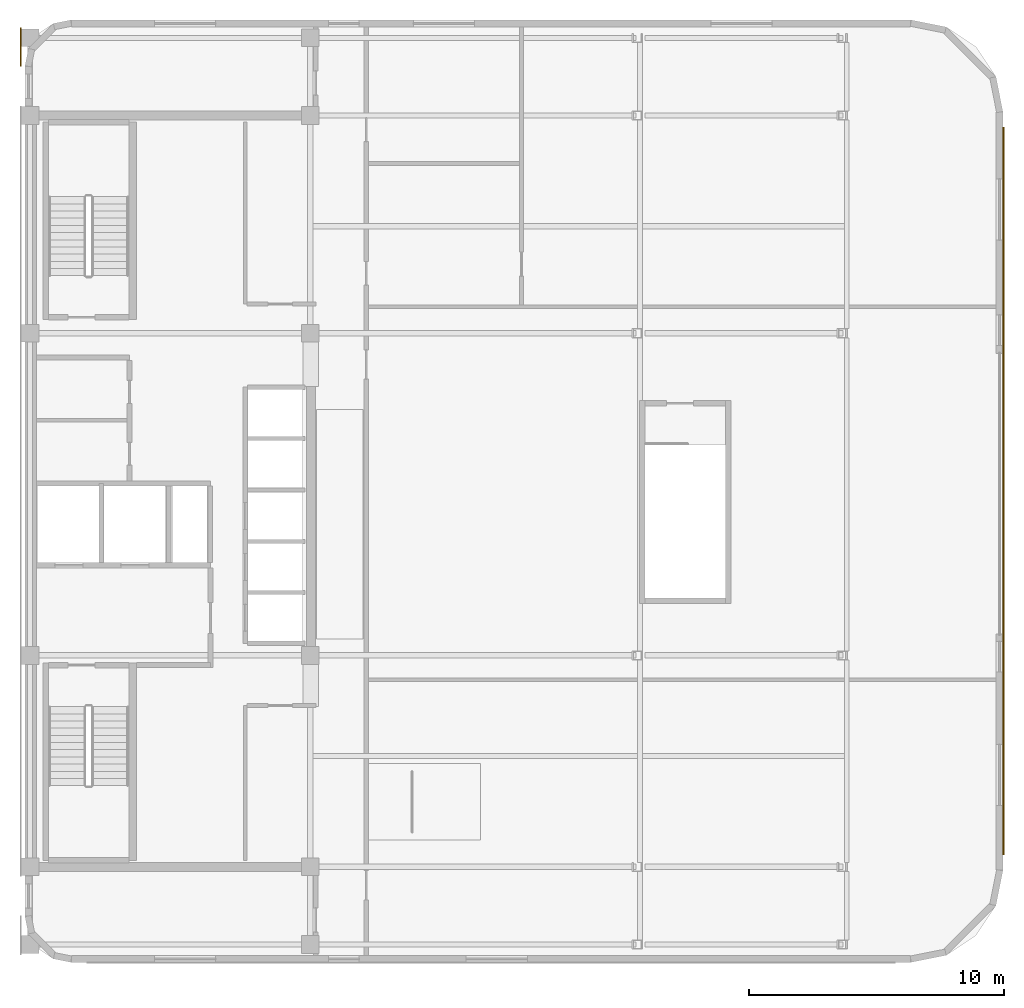
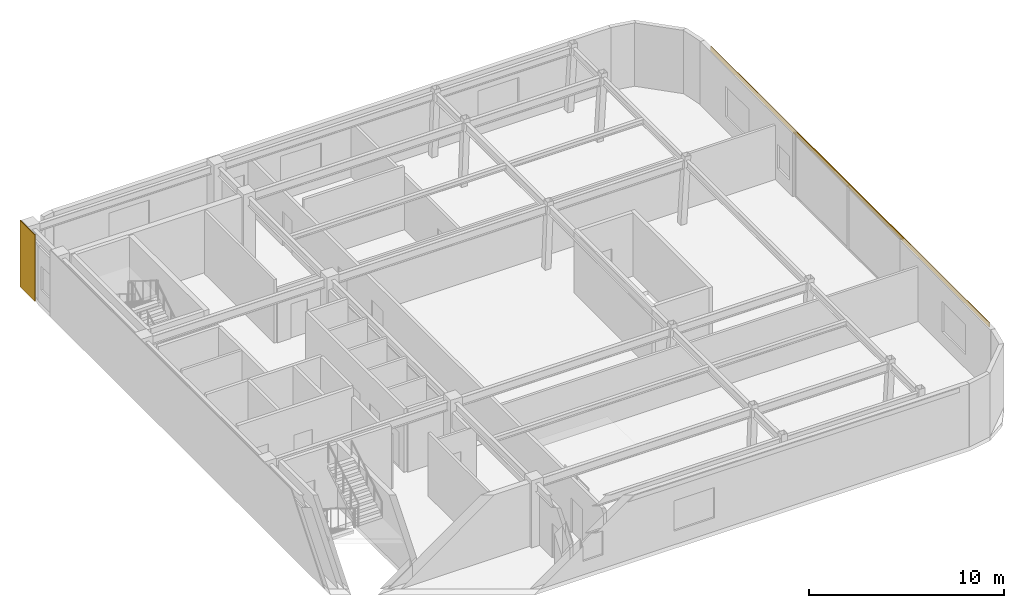
# One storey, part 8 of 8: 2 coverings.
"""IFC4 building model written with IfcOpenShell, lengths in metres."""

from ifc_helpers import new_model, si_unit, direction, frame, origin, origin_2d, place, context, subcontext, project, spatial, rectangle, extrude, material, layer, layer_set, type_object, element, save


model = new_model("IFC4")

# Units and contexts
model_context = context("Model", 3, precision=1e-05, world=origin(), true_north=direction((0.0, 1.0)))
body_context = subcontext(model_context, "Body", "Model", "MODEL_VIEW")
ifc_project = project(units=[si_unit("LENGTHUNIT", "METRE"), si_unit("AREAUNIT", "SQUARE_METRE"), si_unit("VOLUMEUNIT", "CUBIC_METRE"), si_unit("PLANEANGLEUNIT", "RADIAN"), si_unit("MASSUNIT", "GRAM", prefix="KILO")], contexts=[model_context])

# Site, building, storey
site_placement = place(None, origin())
site = spatial("IfcSite", under=ifc_project, at=site_placement, CompositionType="ELEMENT")
building_placement = place(site_placement, origin())
building = spatial("IfcBuilding", under=site, at=building_placement, Name="Ochreholt Gables", CompositionType="ELEMENT")
storey_placement = place(building_placement, frame((0.0, 0.0, 231.0)))
storey = spatial("IfcBuildingStorey", under=building, at=storey_placement, Name="L60", CompositionType="ELEMENT", Elevation=231.0)

# Coverings
ifc_material = material(Name="Glazed Ochre Terracotta Rainscreen Cladding", Category="masonry")
ifc_layer = layer(ifc_material, 0.044921875, Name="Glazed Ochre Terracotta Rainscreen Cladding")
ifc_layer_set = layer_set([ifc_layer], Name="Glazed Ochre Terracotta Rainscreen Cladding")
covering_type = type_object("IfcCoveringType", Name="COV-CLAD-TC", PredefinedType="CLADDING", material=ifc_layer_set)
covering_1_placement = place(storey_placement, frame((62.419921875, 24.0, 3.66015625), z_axis=(0.0, 0.0, 1.0), x_axis=(0.0, 1.0, 0.0)))
element("IfcCovering", 1, at=covering_1_placement, inside=storey, type_object=covering_type, Name="L60 Terracotta Spandrel Cladding East", PredefinedType="CLADDING", context=body_context, shape_type="SweptSolid", body=[
    extrude(rectangle(XDim=28.56005859375, YDim=0.044921875, at=origin_2d()), origin(), (0.0, 0.0, 1.0), 0.280029296875),
])
covering_2_placement = place(storey_placement, frame((23.827880859375, 41.43994140625, 0.01025390625), z_axis=(0.0, 0.0, 1.0), x_axis=(0.0, 1.0, 0.0)))
element("IfcCovering", 2, at=covering_2_placement, inside=storey, type_object=covering_type, Name="L60 North-West Pier Terracotta Cladding", PredefinedType="CLADDING", context=body_context, shape_type="SweptSolid", body=[
    extrude(rectangle(XDim=1.52001953125, YDim=0.044921875, at=origin_2d()), origin(), (0.0, 0.0, 1.0), 4.179931640625),
])

save(model, "model.ifc")
